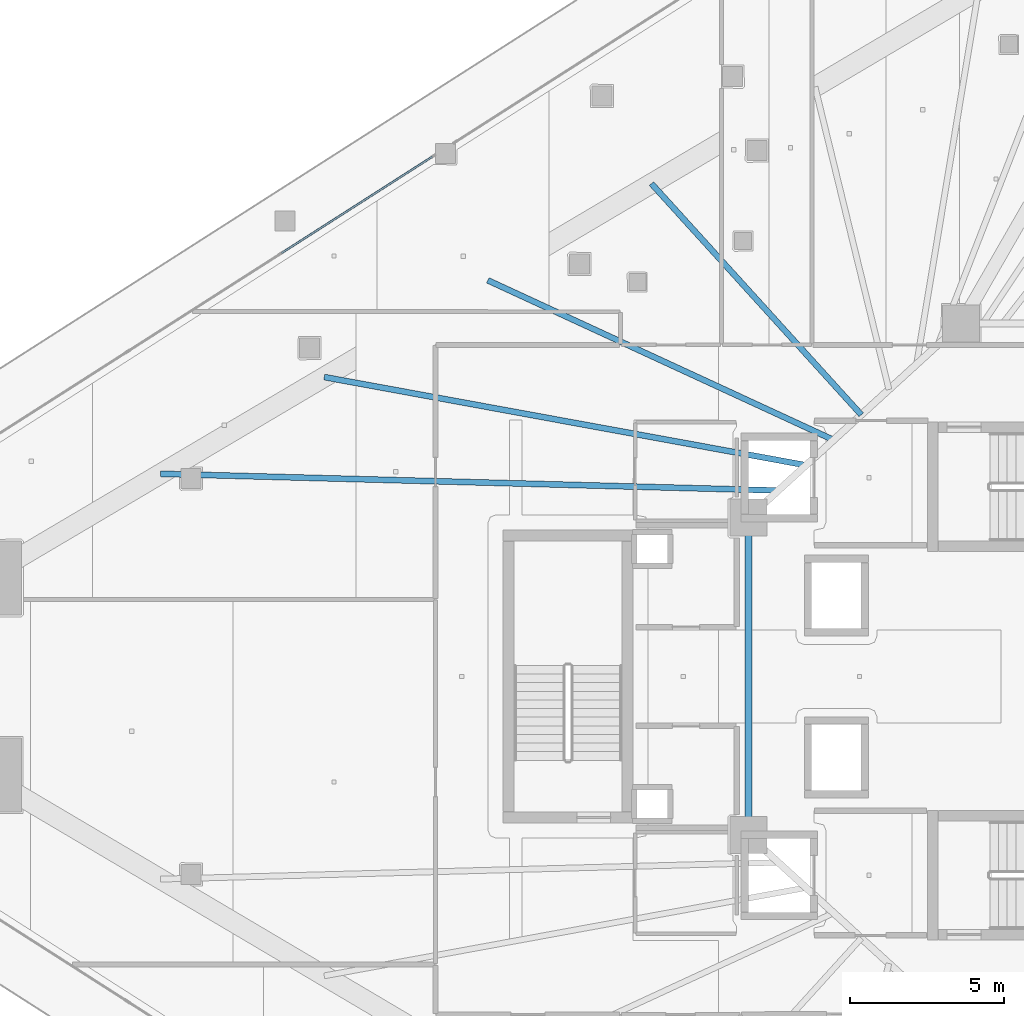
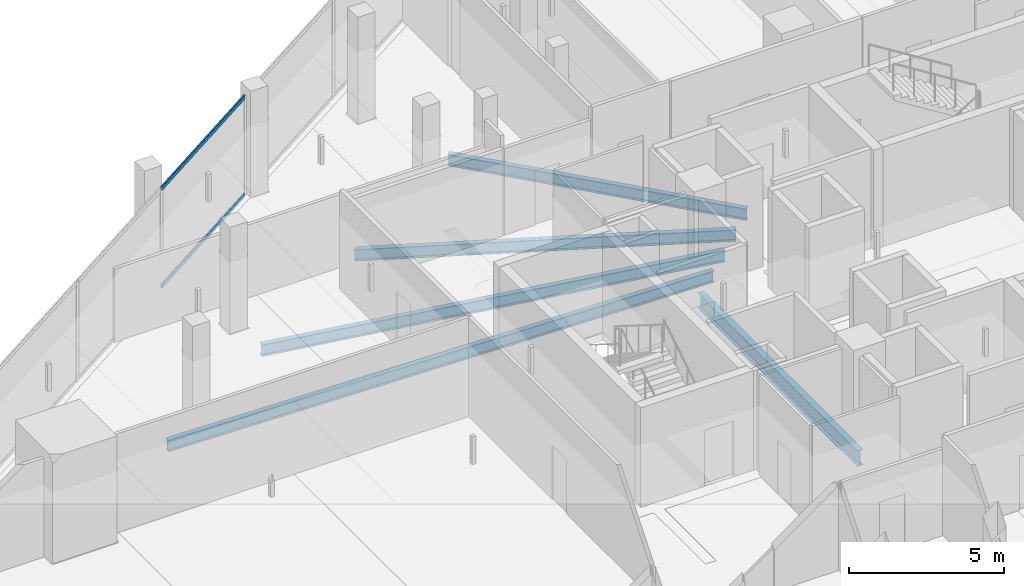
# One storey, part 14 of 44: 5 beams, 2 members, 1 element without a shape of its own.
"""IFC4 building model written with IfcOpenShell, lengths in metres."""

from ifc_helpers import new_model, si_unit, direction, frame, origin, origin_2d, place, context, subcontext, project, spatial, hollow_rectangle, i_section, extrude, material, layer, layer_set, material_profile, profile_set, type_object, element, aggregate, save


model = new_model("IFC4")

# Units and contexts
model_context = context("Model", 3, precision=1e-05, world=origin(), true_north=direction((0.0, 1.0)))
body_context = subcontext(model_context, "Body", "Model", "MODEL_VIEW")
ifc_project = project(units=[si_unit("LENGTHUNIT", "METRE"), si_unit("AREAUNIT", "SQUARE_METRE"), si_unit("VOLUMEUNIT", "CUBIC_METRE"), si_unit("PLANEANGLEUNIT", "RADIAN"), si_unit("MASSUNIT", "GRAM", prefix="KILO")], contexts=[model_context])

# Site, building, storey
site_placement = place(None, origin())
site = spatial("IfcSite", under=ifc_project, at=site_placement, CompositionType="ELEMENT")
building_placement = place(site_placement, origin())
building = spatial("IfcBuilding", under=site, at=building_placement, Name="Qorvath Tower", CompositionType="ELEMENT")
storey_placement = place(building_placement, frame((0.0, 0.0, 53.39990234375)))
storey = spatial("IfcBuildingStorey", under=building, at=storey_placement, Name="L11", CompositionType="ELEMENT", Elevation=53.39990234375)

# Beams
ifc_material_1 = material(Name="Steel ASTM A992 Grade 50", Category="steel")
ifc_material_profile_1 = material_profile(ifc_material_1, i_section(OverallWidth=0.22998046875, OverallDepth=0.616943359375, WebThickness=0.01318359375, FlangeThickness=0.022216796875, FilletRadius=0.014892578125, at=origin_2d()), Name="W24x94")
ifc_profile_set_1 = profile_set([ifc_material_profile_1], Name="Steel ASTM A992 Grade 50")
beam_type_1 = type_object("IfcBeamType", Name="BM-FG6", PredefinedType="BEAM", material=ifc_profile_set_1)
beam_1_placement = place(storey_placement, frame((-30.5, -5.14990234375, -0.58837890625), z_axis=(0.0, 1.0, 0.0), x_axis=(-1.0, 0.0, 0.0)))
element("IfcBeam", 1, at=beam_1_placement, inside=storey, type_object=beam_type_1, Name="Core Ring Girder CC6-CC5 L11", PredefinedType="BEAM", context=body_context, shape_type="SweptSolid", body=[
    extrude(i_section(OverallWidth=0.22998046875, OverallDepth=0.616943359375, WebThickness=0.01318359375, FlangeThickness=0.022216796875, FilletRadius=0.014892578125, at=origin_2d()), origin(), (0.0, 0.0, 1.0), 10.2998046875),
])
ifc_material_2 = material(Name="Steel ASTM A992 Grade 50", Category="steel")
ifc_material_profile_2 = material_profile(ifc_material_2, i_section(OverallWidth=0.18994140625, OverallDepth=0.45703125, WebThickness=0.009033203125, FlangeThickness=0.014404296875, FilletRadius=0.011962890625, at=origin_2d()), Name="W18x50")
ifc_profile_set_2 = profile_set([ifc_material_profile_2], Name="Steel ASTM A992 Grade 50")
beam_type_2 = type_object("IfcBeamType", Name="BM-FJ2", PredefinedType="JOIST", material=ifc_profile_set_2)
beam_2_placement = place(storey_placement, frame((-29.533935546875, 6.031982421875, -0.50830078125), z_axis=(-0.999634925413, 0.02701880631, 0.0), x_axis=(-0.02701880631, -0.999634925413, 0.0)))
element("IfcBeam", 2, at=beam_2_placement, inside=storey, type_object=beam_type_2, Name="Composite Floor Joist NW1 L11", PredefinedType="JOIST", context=body_context, shape_type="SweptSolid", body=[
    extrude(i_section(OverallWidth=0.18994140625, OverallDepth=0.45703125, WebThickness=0.009033203125, FlangeThickness=0.014404296875, FilletRadius=0.011962890625, at=origin_2d()), origin(), (0.0, 0.0, 1.0), 20.041748046875),
])
beam_3_placement = place(storey_placement, frame((-28.636962890625, 6.85107421875, -0.50830078125), z_axis=(-0.983656498786, 0.180055248176, 0.0), x_axis=(-0.180055248176, -0.983656498786, 0.0)))
element("IfcBeam", 3, at=beam_3_placement, inside=storey, type_object=beam_type_2, Name="Composite Floor Joist NW2 L11", PredefinedType="JOIST", context=body_context, shape_type="SweptSolid", body=[
    extrude(i_section(OverallWidth=0.18994140625, OverallDepth=0.45703125, WebThickness=0.009033203125, FlangeThickness=0.014404296875, FilletRadius=0.011962890625, at=origin_2d()), origin(), (0.0, 0.0, 1.0), 15.884521484375),
])
beam_4_placement = place(storey_placement, frame((-27.739990234375, 7.669921875, -0.50830078125), z_axis=(-0.907881281747, 0.419227358665, 0.0), x_axis=(-0.419227358665, -0.907881281747, 0.0)))
element("IfcBeam", 4, at=beam_4_placement, inside=storey, type_object=beam_type_2, Name="Composite Floor Joist NW3 L11", PredefinedType="JOIST", context=body_context, shape_type="SweptSolid", body=[
    extrude(i_section(OverallWidth=0.18994140625, OverallDepth=0.45703125, WebThickness=0.009033203125, FlangeThickness=0.014404296875, FilletRadius=0.011962890625, at=origin_2d()), origin(), (0.0, 0.0, 1.0), 12.353515625),
])
beam_5_placement = place(storey_placement, frame((-26.843017578125, 8.489013671875, -0.50830078125), z_axis=(-0.672128980215, 0.740434084815, 0.0), x_axis=(-0.740434084815, -0.672128980215, 0.0)))
element("IfcBeam", 5, at=beam_5_placement, inside=storey, type_object=beam_type_2, Name="Composite Floor Joist NW4 L11", PredefinedType="JOIST", context=body_context, shape_type="SweptSolid", body=[
    extrude(i_section(OverallWidth=0.18994140625, OverallDepth=0.45703125, WebThickness=0.009033203125, FlangeThickness=0.014404296875, FilletRadius=0.011962890625, at=origin_2d()), origin(), (0.0, 0.0, 1.0), 10.1259765625),
])

# Curtain wall, members
ifc_material_3 = material(Name="Anodised aluminium and triple low-E glass", Category="aluminium")
ifc_layer = layer(ifc_material_3, 0.179931640625)
ifc_layer_set = layer_set([ifc_layer], Name="CW-SYS-2")
curtain_wall_type = type_object("IfcCurtainWallType", Name="CW-SYS-2", PredefinedType="NOTDEFINED", material=ifc_layer_set)
curtain_wall_placement = place(storey_placement, origin())
curtain_wall = element("IfcCurtainWall", 6, at=curtain_wall_placement, inside=storey, type_object=curtain_wall_type, Name="Curtain Wall CW-2 CW-T-L11-16.3", PredefinedType="NOTDEFINED")
ifc_material_4 = material(Name="Anodised aluminium 6063-T6", Category="aluminium")
ifc_material_profile_3 = material_profile(ifc_material_4, hollow_rectangle(XDim=0.06494140625, YDim=0.159912109375, WallThickness=0.00341796875, InnerFilletRadius=0.00341796875, OuterFilletRadius=0.007080078125, at=origin_2d()), Name="CWT 160x65")
ifc_profile_set_3 = profile_set([ifc_material_profile_3], Name="Anodised aluminium 6063-T6")
member_type = type_object("IfcMemberType", Name="CWT-160", PredefinedType="USERDEFINED", material=ifc_profile_set_3)
member_1_placement = place(storey_placement, frame((-40.757080078125, 16.85888671875, 0.032470703125), z_axis=(-0.842607225398, -0.538528609925, 0.0), x_axis=(0.538528609925, -0.842607225398, 0.0)))
member_1 = element("IfcMember", 7, at=member_1_placement, type_object=member_type, Name="CW-2 transom 1.1", ObjectType="TRANSOM", PredefinedType="USERDEFINED", context=body_context, shape_type="SweptSolid", body=[
    extrude(hollow_rectangle(XDim=0.06494140625, YDim=0.159912109375, WallThickness=0.00341796875, InnerFilletRadius=0.00341796875, OuterFilletRadius=0.007080078125, at=origin_2d()), origin(), (0.0, 0.0, 1.0), 5.806396484375),
])
member_2_placement = place(storey_placement, frame((-40.757080078125, 16.85888671875, 3.8876953125), z_axis=(-0.842607225398, -0.538528609925, 0.0), x_axis=(0.538528609925, -0.842607225398, 0.0)))
member_2 = element("IfcMember", 8, at=member_2_placement, type_object=member_type, Name="CW-2 transom 1.2", ObjectType="TRANSOM", PredefinedType="USERDEFINED", context=body_context, shape_type="SweptSolid", body=[
    extrude(hollow_rectangle(XDim=0.06494140625, YDim=0.159912109375, WallThickness=0.00341796875, InnerFilletRadius=0.00341796875, OuterFilletRadius=0.007080078125, at=origin_2d()), origin(), (0.0, 0.0, 1.0), 5.806396484375),
])
aggregate(curtain_wall, [member_1, member_2])

save(model, "model.ifc")
